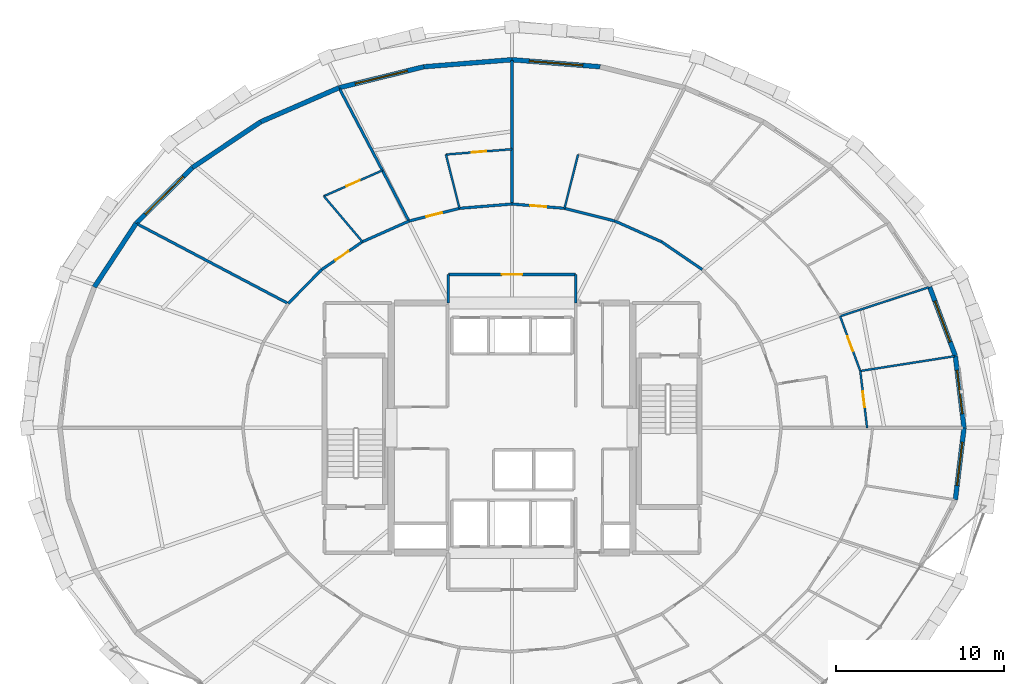
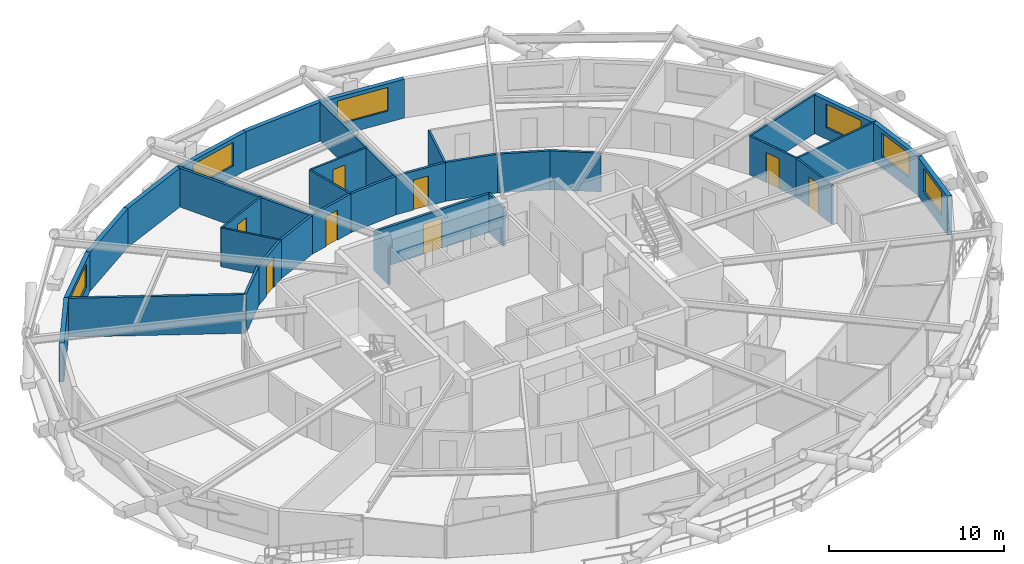
# One storey, part 16 of 19: 34 walls, 8 doors, 6 windows, 14 openings.
"""IFC4 building model written with IfcOpenShell, lengths in metres."""

from ifc_helpers import new_model, si_unit, direction, frame, frame_2d, origin, place, context, subcontext, project, spatial, rectangle, extrude, material, layer, layer_set, type_object, element, fill, save


model = new_model("IFC4")

# Units and contexts
model_context = context("Model", 3, precision=1e-05, world=origin(), true_north=direction((0.0, 1.0)))
body_context = subcontext(model_context, "Body", "Model", "MODEL_VIEW")
ifc_project = project(units=[si_unit("LENGTHUNIT", "METRE"), si_unit("AREAUNIT", "SQUARE_METRE"), si_unit("VOLUMEUNIT", "CUBIC_METRE"), si_unit("PLANEANGLEUNIT", "RADIAN"), si_unit("MASSUNIT", "GRAM", prefix="KILO")], contexts=[model_context])

# Site, building, storey
site_placement = place(None, origin())
site = spatial("IfcSite", under=ifc_project, at=site_placement, CompositionType="ELEMENT")
building_placement = place(site_placement, origin())
building = spatial("IfcBuilding", under=site, at=building_placement, Name="Veldorina Hangang Commons", CompositionType="ELEMENT")
storey_placement = place(building_placement, frame((0.0, 0.0, 70.0)))
storey = spatial("IfcBuildingStorey", under=building, at=storey_placement, Name="L17", CompositionType="ELEMENT", Elevation=70.0)

# Wall, opening, window
ifc_material_1 = material(Name="Stone Roman Travertine", Category="masonry")
ifc_layer_1 = layer(ifc_material_1, 0.280029296875)
ifc_layer_set_1 = layer_set([ifc_layer_1], Name="Stone Roman Travertine")
wall_type_1 = type_object("IfcWallType", Name="EW-TRAV-280", PredefinedType="STANDARD", material=ifc_layer_set_1)
wall_1_placement = place(storey_placement, frame((58.955810546875, 24.0, 0.0), z_axis=(0.0, 0.0, 1.0), x_axis=(-0.120015359714, 0.992772034977, 0.0)))
wall_1 = element("IfcWall", 1, at=wall_1_placement, inside=storey, type_object=wall_type_1, Name="L17 travertine facade wall 00", PredefinedType="STANDARD", context=body_context, shape_type="SweptSolid", body=[
    extrude(rectangle(XDim=4.314697265625, YDim=0.280029296875, at=frame_2d((2.1572265625, 0.0))), origin(), (0.0, 0.0, 1.0), 2.7099609375),
])
opening_1_placement = place(wall_1_placement, frame((0.857421875, 0.0, 0.800048828125)))
opening_1 = element("IfcOpeningElement", 2, at=opening_1_placement, cuts=wall_1, Name="Opening W-02", PredefinedType="OPENING", context=body_context, shape_type="SweptSolid", body=[
    extrude(rectangle(XDim=2.60009765625, YDim=1.64990234375, at=frame_2d((1.300048828125, 0.824951171875))), frame((0.0, 0.14990234375, 0.0), z_axis=(0.0, -1.0, 0.0), x_axis=(1.0, 0.0, 0.0)), (0.0, 0.0, 1.0), 0.300048828125),
])
ifc_material_2 = material(Name="Glass Low-E Triple IGU", Category="glass")
window_type_1 = type_object("IfcWindowType", Name="WIN-TWR-2600", PartitioningType="SINGLE_PANEL", PredefinedType="WINDOW", material=ifc_material_2)
window_1_placement = place(opening_1_placement, origin())
window_1 = element("IfcWindow", 3, at=window_1_placement, inside=storey, type_object=window_type_1, Name="L17 facade window 00", OverallHeight=1.64990234375, OverallWidth=2.60009765625, PartitioningType="SINGLE_PANEL", PredefinedType="WINDOW", context=body_context, shape_type="SweptSolid", body=[
    extrude(rectangle(XDim=2.60009765625, YDim=1.64990234375, at=frame_2d((1.300048828125, 0.824951171875))), frame((0.0, 0.030029296875, 0.0), z_axis=(0.0, -1.0, 0.0), x_axis=(1.0, 0.0, 0.0)), (0.0, 0.0, 1.0), 0.06005859375),
])
fill(opening_1, window_1)

wall_2_placement = place(storey_placement, frame((58.43798828125, 28.283447265625, 0.0), z_axis=(0.0, 0.0, 1.0), x_axis=(-0.349065026796, 0.937098504464, 0.0)))
wall_2 = element("IfcWall", 4, at=wall_2_placement, inside=storey, type_object=wall_type_1, Name="L17 travertine facade wall 01", PredefinedType="STANDARD", context=body_context, shape_type="SweptSolid", body=[
    extrude(rectangle(XDim=4.39501953125, YDim=0.280029296875, at=frame_2d((2.197509765625, 0.0))), origin(), (0.0, 0.0, 1.0), 2.7099609375),
])
opening_2_placement = place(wall_2_placement, frame((0.8974609375, 0.0, 0.800048828125)))
opening_2 = element("IfcOpeningElement", 5, at=opening_2_placement, cuts=wall_2, Name="Opening W-02", PredefinedType="OPENING", context=body_context, shape_type="SweptSolid", body=[
    extrude(rectangle(XDim=2.60009765625, YDim=1.64990234375, at=frame_2d((1.300048828125, 0.824951171875))), frame((0.0, 0.14990234375, 0.0), z_axis=(0.0, -1.0, 0.0), x_axis=(1.0, 0.0, 0.0)), (0.0, 0.0, 1.0), 0.300048828125),
])
window_2_placement = place(opening_2_placement, origin())
window_2 = element("IfcWindow", 6, at=window_2_placement, inside=storey, type_object=window_type_1, Name="L17 facade window 01", OverallHeight=1.64990234375, OverallWidth=2.60009765625, PartitioningType="SINGLE_PANEL", PredefinedType="WINDOW", context=body_context, shape_type="SweptSolid", body=[
    extrude(rectangle(XDim=2.60009765625, YDim=1.64990234375, at=frame_2d((1.300048828125, 0.824951171875))), frame((0.0, 0.030029296875, 0.0), z_axis=(0.0, -1.0, 0.0), x_axis=(1.0, 0.0, 0.0)), (0.0, 0.0, 1.0), 0.06005859375),
])
fill(opening_2, window_2)

wall_3_placement = place(storey_placement, frame((37.2587890625, 45.533935546875, 0.0), z_axis=(0.0, 0.0, 1.0), x_axis=(-0.996797596899, 0.07996593535, 0.0)))
wall_3 = element("IfcWall", 7, at=wall_3_placement, inside=storey, type_object=wall_type_1, Name="L17 travertine facade wall 07", PredefinedType="STANDARD", context=body_context, shape_type="SweptSolid", body=[
    extrude(rectangle(XDim=5.275634765625, YDim=0.280029296875, at=frame_2d((2.6376953125, 0.0))), origin(), (0.0, 0.0, 1.0), 2.7099609375),
])
opening_3_placement = place(wall_3_placement, frame((1.037841796875, 0.0, 0.800048828125)))
opening_3 = element("IfcOpeningElement", 8, at=opening_3_placement, cuts=wall_3, Name="Opening W-01", PredefinedType="OPENING", context=body_context, shape_type="SweptSolid", body=[
    extrude(rectangle(XDim=3.199951171875, YDim=1.64990234375, at=frame_2d((1.60009765625, 0.824951171875))), frame((0.0, 0.14990234375, 0.0), z_axis=(0.0, -1.0, 0.0), x_axis=(1.0, 0.0, 0.0)), (0.0, 0.0, 1.0), 0.300048828125),
])
window_type_2 = type_object("IfcWindowType", Name="WIN-TWR-3200", PartitioningType="SINGLE_PANEL", PredefinedType="WINDOW", material=ifc_material_2)
window_3_placement = place(opening_3_placement, origin())
window_3 = element("IfcWindow", 9, at=window_3_placement, inside=storey, type_object=window_type_2, Name="L17 facade window 07", OverallHeight=1.64990234375, OverallWidth=3.199951171875, PartitioningType="SINGLE_PANEL", PredefinedType="WINDOW", context=body_context, shape_type="SweptSolid", body=[
    extrude(rectangle(XDim=3.199951171875, YDim=1.64990234375, at=frame_2d((1.60009765625, 0.824951171875))), frame((0.0, 0.030029296875, 0.0), z_axis=(0.0, -1.0, 0.0), x_axis=(1.0, 0.0, 0.0)), (0.0, 0.0, 1.0), 0.06005859375),
])
fill(opening_3, window_3)

# Wall
wall_4_placement = place(storey_placement, frame((32.0, 45.955810546875, 0.0), z_axis=(0.0, 0.0, 1.0), x_axis=(-0.996797596899, -0.07996593535, 0.0)))
element("IfcWall", 10, at=wall_4_placement, inside=storey, type_object=wall_type_1, Name="L17 travertine facade wall 08", PredefinedType="STANDARD", context=body_context, shape_type="SweptSolid", body=[
    extrude(rectangle(XDim=5.275634765625, YDim=0.280029296875, at=frame_2d((2.6376953125, 0.0))), origin(), (0.0, 0.0, 1.0), 2.7099609375),
])

# Wall, opening, window
wall_5_placement = place(storey_placement, frame((26.7412109375, 45.533935546875, 0.0), z_axis=(0.0, 0.0, 1.0), x_axis=(-0.970800603404, -0.239887866368, 0.0)))
wall_5 = element("IfcWall", 11, at=wall_5_placement, inside=storey, type_object=wall_type_1, Name="L17 travertine facade wall 09", PredefinedType="STANDARD", context=body_context, shape_type="SweptSolid", body=[
    extrude(rectangle(XDim=5.208740234375, YDim=0.280029296875, at=frame_2d((2.6044921875, 0.0))), origin(), (0.0, 0.0, 1.0), 2.7099609375),
])
opening_4_placement = place(wall_5_placement, frame((1.00439453125, 0.0, 0.800048828125)))
opening_4 = element("IfcOpeningElement", 12, at=opening_4_placement, cuts=wall_5, Name="Opening W-01", PredefinedType="OPENING", context=body_context, shape_type="SweptSolid", body=[
    extrude(rectangle(XDim=3.199951171875, YDim=1.64990234375, at=frame_2d((1.60009765625, 0.824951171875))), frame((0.0, 0.14990234375, 0.0), z_axis=(0.0, -1.0, 0.0), x_axis=(1.0, 0.0, 0.0)), (0.0, 0.0, 1.0), 0.300048828125),
])
window_4_placement = place(opening_4_placement, origin())
window_4 = element("IfcWindow", 13, at=window_4_placement, inside=storey, type_object=window_type_2, Name="L17 facade window 09", OverallHeight=1.64990234375, OverallWidth=3.199951171875, PartitioningType="SINGLE_PANEL", PredefinedType="WINDOW", context=body_context, shape_type="SweptSolid", body=[
    extrude(rectangle(XDim=3.199951171875, YDim=1.64990234375, at=frame_2d((1.60009765625, 0.824951171875))), frame((0.0, 0.030029296875, 0.0), z_axis=(0.0, -1.0, 0.0), x_axis=(1.0, 0.0, 0.0)), (0.0, 0.0, 1.0), 0.06005859375),
])
fill(opening_4, window_4)

# Walls
wall_6_placement = place(storey_placement, frame((21.6845703125, 44.284423828125, 0.0), z_axis=(0.0, 0.0, 1.0), x_axis=(-0.916886688659, -0.399147591951, 0.0)))
element("IfcWall", 14, at=wall_6_placement, inside=storey, type_object=wall_type_1, Name="L17 travertine facade wall 10", PredefinedType="STANDARD", context=body_context, shape_type="SweptSolid", body=[
    extrude(rectangle(XDim=5.082763671875, YDim=0.280029296875, at=frame_2d((2.54150390625, 0.0))), origin(), (0.0, 0.0, 1.0), 2.7099609375),
])
wall_7_placement = place(storey_placement, frame((17.024169921875, 42.255615234375, 0.0), z_axis=(0.0, 0.0, 1.0), x_axis=(-0.831361640375, -0.555731790446, 0.0)))
element("IfcWall", 15, at=wall_7_placement, inside=storey, type_object=wall_type_1, Name="L17 travertine facade wall 11", PredefinedType="STANDARD", context=body_context, shape_type="SweptSolid", body=[
    extrude(rectangle(XDim=4.913330078125, YDim=0.280029296875, at=frame_2d((2.45654296875, 0.0))), origin(), (0.0, 0.0, 1.0), 2.7099609375),
])

# Wall, opening, window
wall_8_placement = place(storey_placement, frame((12.939453125, 39.525146484375, 0.0), z_axis=(0.0, 0.0, 1.0), x_axis=(-0.709763836868, -0.704439703505, 0.0)))
wall_8 = element("IfcWall", 16, at=wall_8_placement, inside=storey, type_object=wall_type_1, Name="L17 travertine facade wall 12", PredefinedType="STANDARD", context=body_context, shape_type="SweptSolid", body=[
    extrude(rectangle(XDim=4.72314453125, YDim=0.280029296875, at=frame_2d((2.361572265625, 0.0))), origin(), (0.0, 0.0, 1.0), 2.7099609375),
])
opening_5_placement = place(wall_8_placement, frame((0.761474609375, 0.0, 0.800048828125)))
opening_5 = element("IfcOpeningElement", 17, at=opening_5_placement, cuts=wall_8, Name="Opening W-01", PredefinedType="OPENING", context=body_context, shape_type="SweptSolid", body=[
    extrude(rectangle(XDim=3.199951171875, YDim=1.64990234375, at=frame_2d((1.60009765625, 0.824951171875))), frame((0.0, 0.14990234375, 0.0), z_axis=(0.0, -1.0, 0.0), x_axis=(1.0, 0.0, 0.0)), (0.0, 0.0, 1.0), 0.300048828125),
])
window_5_placement = place(opening_5_placement, origin())
window_5 = element("IfcWindow", 18, at=window_5_placement, inside=storey, type_object=window_type_2, Name="L17 facade window 12", OverallHeight=1.64990234375, OverallWidth=3.199951171875, PartitioningType="SINGLE_PANEL", PredefinedType="WINDOW", context=body_context, shape_type="SweptSolid", body=[
    extrude(rectangle(XDim=3.199951171875, YDim=1.64990234375, at=frame_2d((1.60009765625, 0.824951171875))), frame((0.0, 0.030029296875, 0.0), z_axis=(0.0, -1.0, 0.0), x_axis=(1.0, 0.0, 0.0)), (0.0, 0.0, 1.0), 0.06005859375),
])
fill(opening_5, window_5)

# Wall
wall_9_placement = place(storey_placement, frame((9.587158203125, 36.197998046875, 0.0), z_axis=(0.0, 0.0, 1.0), x_axis=(-0.548642346735, -0.836057160348, 0.0)))
element("IfcWall", 19, at=wall_9_placement, inside=storey, type_object=wall_type_1, Name="L17 travertine facade wall 13", PredefinedType="STANDARD", context=body_context, shape_type="SweptSolid", body=[
    extrude(rectangle(XDim=4.540283203125, YDim=0.280029296875, at=frame_2d((2.27001953125, 0.0))), origin(), (0.0, 0.0, 1.0), 2.7099609375),
])

# Wall, opening, window
wall_10_placement = place(storey_placement, frame((58.43798828125, 19.716552734375, 0.0), z_axis=(0.0, 0.0, 1.0), x_axis=(0.120015359714, 0.992772034977, 0.0)))
wall_10 = element("IfcWall", 20, at=wall_10_placement, inside=storey, type_object=wall_type_1, Name="L17 travertine facade wall 31", PredefinedType="STANDARD", context=body_context, shape_type="SweptSolid", body=[
    extrude(rectangle(XDim=4.314697265625, YDim=0.280029296875, at=frame_2d((2.1572265625, 0.0))), origin(), (0.0, 0.0, 1.0), 2.7099609375),
])
opening_6_placement = place(wall_10_placement, frame((0.857421875, 0.0, 0.800048828125)))
opening_6 = element("IfcOpeningElement", 21, at=opening_6_placement, cuts=wall_10, Name="Opening W-02", PredefinedType="OPENING", context=body_context, shape_type="SweptSolid", body=[
    extrude(rectangle(XDim=2.60009765625, YDim=1.64990234375, at=frame_2d((1.300048828125, 0.824951171875))), frame((0.0, 0.14990234375, 0.0), z_axis=(0.0, -1.0, 0.0), x_axis=(1.0, 0.0, 0.0)), (0.0, 0.0, 1.0), 0.300048828125),
])
window_6_placement = place(opening_6_placement, origin())
window_6 = element("IfcWindow", 22, at=window_6_placement, inside=storey, type_object=window_type_1, Name="L17 facade window 31", OverallHeight=1.64990234375, OverallWidth=2.60009765625, PartitioningType="SINGLE_PANEL", PredefinedType="WINDOW", context=body_context, shape_type="SweptSolid", body=[
    extrude(rectangle(XDim=2.60009765625, YDim=1.64990234375, at=frame_2d((1.300048828125, 0.824951171875))), frame((0.0, 0.030029296875, 0.0), z_axis=(0.0, -1.0, 0.0), x_axis=(1.0, 0.0, 0.0)), (0.0, 0.0, 1.0), 0.06005859375),
])
fill(opening_6, window_6)

# Walls
ifc_material_3 = material(Name="Gypsum Fire-Rated Twin Stud Wall", Category="gypsum")
ifc_layer_2 = layer(ifc_material_3, 0.159912109375)
ifc_layer_set_2 = layer_set([ifc_layer_2], Name="Gypsum Fire-Rated Twin Stud Wall")
wall_type_2 = type_object("IfcWallType", Name="WL-FIRE-160", PredefinedType="SOLIDWALL", material=ifc_layer_set_2)
for number, where, z_axis, x_axis, name in (
    (23, (28.199951171875, 31.449951171875, 0.0), (0.0, 0.0, 1.0), (0.0, 1.0, 0.0), "L17 North lobby west wall 032"),
    (24, (35.800048828125, 31.449951171875, 0.0), (0.0, 0.0, 1.0), (0.0, 1.0, 0.0), "L17 North lobby east wall 033"),
):
    element("IfcWall", number, at=place(storey_placement, frame(where, z_axis=z_axis, x_axis=x_axis)), inside=storey, type_object=wall_type_2, Name=name, PredefinedType="SOLIDWALL", context=body_context, shape_type="SweptSolid", body=[
        extrude(rectangle(XDim=1.699951171875, YDim=0.159912109375, at=frame_2d((0.85009765625, 0.0))), origin(), (0.0, 0.0, 1.0), 2.7099609375),
    ])

# Wall, opening, door
wall_11_placement = place(storey_placement, frame((28.199951171875, 33.14990234375, 0.0), z_axis=(0.0, 0.0, 1.0), x_axis=(1.0, 0.0, 0.0)))
wall_11 = element("IfcWall", 25, at=wall_11_placement, inside=storey, type_object=wall_type_2, Name="L17 North lobby north wall 034", PredefinedType="SOLIDWALL", context=body_context, shape_type="SweptSolid", body=[
    extrude(rectangle(XDim=7.60009765625, YDim=0.159912109375, at=frame_2d((3.800048828125, 0.0))), origin(), (0.0, 0.0, 1.0), 2.7099609375),
])
opening_7_placement = place(wall_11_placement, frame((3.199951171875, 0.0, 0.0)))
opening_7 = element("IfcOpeningElement", 26, at=opening_7_placement, cuts=wall_11, Name="Opening D-09", PredefinedType="OPENING", context=body_context, shape_type="SweptSolid", body=[
    extrude(rectangle(XDim=1.199951171875, YDim=2.10009765625, at=frame_2d((0.60009765625, 1.050048828125))), frame((0.0, 0.08984375, 0.0), z_axis=(0.0, -1.0, 0.0), x_axis=(1.0, 0.0, 0.0)), (0.0, 0.0, 1.0), 0.179931640625),
])
ifc_material_4 = material(Name="Steel Fire-Rated Corridor Door", Category="steel")
door_type_1 = type_object("IfcDoorType", Name="DR-FIRE-1200", OperationType="SINGLE_SWING_LEFT", PredefinedType="DOOR", material=ifc_material_4)
door_1_placement = place(opening_7_placement, origin())
door_1 = element("IfcDoor", 27, at=door_1_placement, inside=storey, type_object=door_type_1, Name="L17 North lift lobby corridor door 012", OperationType="SINGLE_SWING_RIGHT", OverallHeight=2.10009765625, OverallWidth=1.199951171875, PredefinedType="DOOR", context=body_context, shape_type="SweptSolid", body=[
    extrude(rectangle(XDim=1.199951171875, YDim=2.10009765625, at=frame_2d((0.60009765625, 1.050048828125))), frame((0.0, 0.02490234375, 0.0), z_axis=(0.0, -1.0, 0.0), x_axis=(1.0, 0.0, 0.0)), (0.0, 0.0, 1.0), 0.050048828125),
])
fill(opening_7, door_1)

# Walls
wall_12_placement = place(storey_placement, frame((43.34912109375, 33.43994140625, 0.0), z_axis=(0.0, 0.0, 1.0), x_axis=(-0.825929039072, 0.563774088104, 0.0)))
element("IfcWall", 28, at=wall_12_placement, inside=storey, type_object=wall_type_2, Name="L17 Corridor outer wall 04 049", PredefinedType="SOLIDWALL", context=body_context, shape_type="SweptSolid", body=[
    extrude(rectangle(XDim=2.94482421875, YDim=0.159912109375, at=frame_2d((1.472412109375, 0.0))), origin(), (0.0, 0.0, 1.0), 2.7099609375),
])
wall_13_placement = place(storey_placement, frame((40.9169921875, 35.10009765625, 0.0), z_axis=(0.0, 0.0, 1.0), x_axis=(-0.913768445178, 0.406235434936, 0.0)))
element("IfcWall", 29, at=wall_13_placement, inside=storey, type_object=wall_type_2, Name="L17 Corridor outer wall 05 050", PredefinedType="SOLIDWALL", context=body_context, shape_type="SweptSolid", body=[
    extrude(rectangle(XDim=3.036865234375, YDim=0.159912109375, at=frame_2d((1.5185546875, 0.0))), origin(), (0.0, 0.0, 1.0), 2.7099609375),
])
wall_14_placement = place(storey_placement, frame((38.14208984375, 36.333740234375, 0.0), z_axis=(0.0, 0.0, 1.0), x_axis=(-0.969608333194, 0.244662380029, 0.0)))
element("IfcWall", 30, at=wall_14_placement, inside=storey, type_object=wall_type_2, Name="L17 Corridor outer wall 06 051", PredefinedType="SOLIDWALL", context=body_context, shape_type="SweptSolid", body=[
    extrude(rectangle(XDim=3.10546875, YDim=0.159912109375, at=frame_2d((1.552734375, 0.0))), origin(), (0.0, 0.0, 1.0), 2.7099609375),
])

# Wall, opening, door
wall_15_placement = place(storey_placement, frame((35.131103515625, 37.093505859375, 0.0), z_axis=(0.0, 0.0, 1.0), x_axis=(-0.996658973252, 0.081675522876, 0.0)))
wall_15 = element("IfcWall", 31, at=wall_15_placement, inside=storey, type_object=wall_type_2, Name="L17 Corridor outer wall 07 052", PredefinedType="SOLIDWALL", context=body_context, shape_type="SweptSolid", body=[
    extrude(rectangle(XDim=3.1416015625, YDim=0.159912109375, at=frame_2d((1.57080078125, 0.0))), origin(), (0.0, 0.0, 1.0), 2.7099609375),
])
opening_8_placement = place(wall_15_placement, frame((1.095703125, 0.0, 0.0)))
opening_8 = element("IfcOpeningElement", 32, at=opening_8_placement, cuts=wall_15, Name="Opening D-03", PredefinedType="OPENING", context=body_context, shape_type="SweptSolid", body=[
    extrude(rectangle(XDim=0.949951171875, YDim=2.10009765625, at=frame_2d((0.47509765625, 1.050048828125))), frame((0.0, 0.08984375, 0.0), z_axis=(0.0, -1.0, 0.0), x_axis=(1.0, 0.0, 0.0)), (0.0, 0.0, 1.0), 0.179931640625),
])
ifc_material_5 = material(Name="Timber Fire-Rated Entrance Core", Category="wood")
door_type_2 = type_object("IfcDoorType", Name="DR-UNIT-950", OperationType="SINGLE_SWING_RIGHT", PredefinedType="DOOR", material=ifc_material_5)
door_2_placement = place(opening_8_placement, origin())
door_2 = element("IfcDoor", 33, at=door_2_placement, inside=storey, type_object=door_type_2, Name="L17 Studio 4 entrance door 036", OperationType="SINGLE_SWING_RIGHT", OverallHeight=2.10009765625, OverallWidth=0.949951171875, PredefinedType="DOOR", context=body_context, shape_type="SweptSolid", body=[
    extrude(rectangle(XDim=0.949951171875, YDim=2.10009765625, at=frame_2d((0.47509765625, 1.050048828125))), frame((0.0, 0.02490234375, 0.0), z_axis=(0.0, -1.0, 0.0), x_axis=(1.0, 0.0, 0.0)), (0.0, 0.0, 1.0), 0.050048828125),
])
fill(opening_8, door_2)

# Wall
wall_16_placement = place(storey_placement, frame((32.0, 37.35009765625, 0.0), z_axis=(0.0, 0.0, 1.0), x_axis=(-0.996658973252, -0.081675522876, 0.0)))
element("IfcWall", 34, at=wall_16_placement, inside=storey, type_object=wall_type_2, Name="L17 Corridor outer wall 08 053", PredefinedType="SOLIDWALL", context=body_context, shape_type="SweptSolid", body=[
    extrude(rectangle(XDim=3.1416015625, YDim=0.159912109375, at=frame_2d((1.57080078125, 0.0))), origin(), (0.0, 0.0, 1.0), 2.7099609375),
])

# Wall, opening, door
wall_17_placement = place(storey_placement, frame((28.868896484375, 37.093505859375, 0.0), z_axis=(0.0, 0.0, 1.0), x_axis=(-0.969608333194, -0.244662380029, 0.0)))
wall_17 = element("IfcWall", 35, at=wall_17_placement, inside=storey, type_object=wall_type_2, Name="L17 Corridor outer wall 09 054", PredefinedType="SOLIDWALL", context=body_context, shape_type="SweptSolid", body=[
    extrude(rectangle(XDim=3.10546875, YDim=0.159912109375, at=frame_2d((1.552734375, 0.0))), origin(), (0.0, 0.0, 1.0), 2.7099609375),
])
opening_9_placement = place(wall_17_placement, frame((1.07763671875, 0.0, 0.0)))
opening_9 = element("IfcOpeningElement", 36, at=opening_9_placement, cuts=wall_17, Name="Opening D-03", PredefinedType="OPENING", context=body_context, shape_type="SweptSolid", body=[
    extrude(rectangle(XDim=0.949951171875, YDim=2.10009765625, at=frame_2d((0.47509765625, 1.050048828125))), frame((0.0, 0.08984375, 0.0), z_axis=(0.0, -1.0, 0.0), x_axis=(1.0, 0.0, 0.0)), (0.0, 0.0, 1.0), 0.179931640625),
])
door_3_placement = place(opening_9_placement, origin())
door_3 = element("IfcDoor", 37, at=door_3_placement, inside=storey, type_object=door_type_2, Name="L17 Studio 5 entrance door 038", OperationType="SINGLE_SWING_RIGHT", OverallHeight=2.10009765625, OverallWidth=0.949951171875, PredefinedType="DOOR", context=body_context, shape_type="SweptSolid", body=[
    extrude(rectangle(XDim=0.949951171875, YDim=2.10009765625, at=frame_2d((0.47509765625, 1.050048828125))), frame((0.0, 0.02490234375, 0.0), z_axis=(0.0, -1.0, 0.0), x_axis=(1.0, 0.0, 0.0)), (0.0, 0.0, 1.0), 0.050048828125),
])
fill(opening_9, door_3)

# Wall
wall_18_placement = place(storey_placement, frame((25.85791015625, 36.333740234375, 0.0), z_axis=(0.0, 0.0, 1.0), x_axis=(-0.913768445178, -0.406235434936, 0.0)))
element("IfcWall", 38, at=wall_18_placement, inside=storey, type_object=wall_type_2, Name="L17 Corridor outer wall 10 055", PredefinedType="SOLIDWALL", context=body_context, shape_type="SweptSolid", body=[
    extrude(rectangle(XDim=3.036865234375, YDim=0.159912109375, at=frame_2d((1.5185546875, 0.0))), origin(), (0.0, 0.0, 1.0), 2.7099609375),
])

# Wall, opening, door
wall_19_placement = place(storey_placement, frame((23.0830078125, 35.10009765625, 0.0), z_axis=(0.0, 0.0, 1.0), x_axis=(-0.825929039072, -0.563774088104, 0.0)))
wall_19 = element("IfcWall", 39, at=wall_19_placement, inside=storey, type_object=wall_type_2, Name="L17 Corridor outer wall 11 056", PredefinedType="SOLIDWALL", context=body_context, shape_type="SweptSolid", body=[
    extrude(rectangle(XDim=2.94482421875, YDim=0.159912109375, at=frame_2d((1.472412109375, 0.0))), origin(), (0.0, 0.0, 1.0), 2.7099609375),
])
opening_10_placement = place(wall_19_placement, frame((0.997314453125, 0.0, 0.0)))
opening_10 = element("IfcOpeningElement", 40, at=opening_10_placement, cuts=wall_19, Name="Opening D-03", PredefinedType="OPENING", context=body_context, shape_type="SweptSolid", body=[
    extrude(rectangle(XDim=0.949951171875, YDim=2.10009765625, at=frame_2d((0.47509765625, 1.050048828125))), frame((0.0, 0.08984375, 0.0), z_axis=(0.0, -1.0, 0.0), x_axis=(1.0, 0.0, 0.0)), (0.0, 0.0, 1.0), 0.179931640625),
])
door_4_placement = place(opening_10_placement, origin())
door_4 = element("IfcDoor", 41, at=door_4_placement, inside=storey, type_object=door_type_2, Name="L17 Studio 6 entrance door 040", OperationType="SINGLE_SWING_RIGHT", OverallHeight=2.10009765625, OverallWidth=0.949951171875, PredefinedType="DOOR", context=body_context, shape_type="SweptSolid", body=[
    extrude(rectangle(XDim=0.949951171875, YDim=2.10009765625, at=frame_2d((0.47509765625, 1.050048828125))), frame((0.0, 0.02490234375, 0.0), z_axis=(0.0, -1.0, 0.0), x_axis=(1.0, 0.0, 0.0)), (0.0, 0.0, 1.0), 0.050048828125),
])
fill(opening_10, door_4)

# Walls
wall_20_placement = place(storey_placement, frame((20.65087890625, 33.43994140625, 0.0), z_axis=(0.0, 0.0, 1.0), x_axis=(-0.702366174226, -0.711815816981, 0.0)))
element("IfcWall", 42, at=wall_20_placement, inside=storey, type_object=wall_type_2, Name="L17 Corridor outer wall 12 057", PredefinedType="SOLIDWALL", context=body_context, shape_type="SweptSolid", body=[
    extrude(rectangle(XDim=2.842041015625, YDim=0.159912109375, at=frame_2d((1.4208984375, 0.0))), origin(), (0.0, 0.0, 1.0), 2.7099609375),
])
wall_21_placement = place(storey_placement, frame((32.0, 37.35009765625, 0.0), z_axis=(0.0, 0.0, 1.0), x_axis=(0.0, 1.0, 0.0)))
element("IfcWall", 43, at=wall_21_placement, inside=storey, type_object=wall_type_2, Name="L17 Unit party wall 08 112", PredefinedType="SOLIDWALL", context=body_context, shape_type="SweptSolid", body=[
    extrude(rectangle(XDim=8.5556640625, YDim=0.159912109375, at=frame_2d((4.27783203125, 0.0))), origin(), (0.0, 0.0, 1.0), 2.7099609375),
])
wall_22_placement = place(storey_placement, frame((25.85791015625, 36.333740234375, 0.0), z_axis=(0.0, 0.0, 1.0), x_axis=(-0.464766918633, 0.885433064294, 0.0)))
element("IfcWall", 44, at=wall_22_placement, inside=storey, type_object=wall_type_2, Name="L17 Unit party wall 10 115", PredefinedType="SOLIDWALL", context=body_context, shape_type="SweptSolid", body=[
    extrude(rectangle(XDim=8.929443359375, YDim=0.159912109375, at=frame_2d((4.46484375, 0.0))), origin(), (0.0, 0.0, 1.0), 2.7099609375),
])
wall_23_placement = place(storey_placement, frame((18.65478515625, 31.4169921875, 0.0), z_axis=(0.0, 0.0, 1.0), x_axis=(-0.884569100485, 0.466409162074, 0.0)))
element("IfcWall", 45, at=wall_23_placement, inside=storey, type_object=wall_type_2, Name="L17 Unit party wall 13 118", PredefinedType="SOLIDWALL", context=body_context, shape_type="SweptSolid", body=[
    extrude(rectangle(XDim=10.200927734375, YDim=0.159912109375, at=frame_2d((5.1005859375, 0.0))), origin(), (0.0, 0.0, 1.0), 2.7099609375),
])

# Wall, opening, door
ifc_material_6 = material(Name="Gypsum Acoustic Stud Partition", Category="gypsum")
ifc_layer_3 = layer(ifc_material_6, 0.1201171875)
ifc_layer_set_3 = layer_set([ifc_layer_3], Name="Gypsum Acoustic Stud Partition")
wall_type_3 = type_object("IfcWallType", Name="WL-PART-120", PredefinedType="PARTITIONING", material=ifc_layer_set_3)
wall_24_placement = place(storey_placement, frame((53.17578125, 24.0, 0.0), z_axis=(0.0, 0.0, 1.0), x_axis=(-0.119074803722, 0.992885285982, 0.0)))
wall_24 = element("IfcWall", 46, at=wall_24_placement, inside=storey, type_object=wall_type_3, Name="L17 Cluster 3 bed 1 front wall 098", PredefinedType="PARTITIONING", context=body_context, shape_type="SweptSolid", body=[
    extrude(rectangle(XDim=3.41796875, YDim=0.1201171875, at=frame_2d((1.708984375, 0.0))), origin(), (0.0, 0.0, 1.0), 2.7099609375),
])
opening_11_placement = place(wall_24_placement, frame((1.23388671875, 0.0, 0.0)))
opening_11 = element("IfcOpeningElement", 47, at=opening_11_placement, cuts=wall_24, Name="Opening D-02", PredefinedType="OPENING", context=body_context, shape_type="SweptSolid", body=[
    extrude(rectangle(XDim=0.949951171875, YDim=2.10009765625, at=frame_2d((0.47509765625, 1.050048828125))), frame((0.0, 0.070068359375, 0.0), z_axis=(0.0, -1.0, 0.0), x_axis=(1.0, 0.0, 0.0)), (0.0, 0.0, 1.0), 0.14013671875),
])
ifc_material_7 = material(Name="Timber Solid Core Acoustic", Category="wood")
door_type_3 = type_object("IfcDoorType", Name="DR-INT-950", OperationType="SINGLE_SWING_LEFT", PredefinedType="DOOR", material=ifc_material_7)
door_5_placement = place(opening_11_placement, origin())
door_5 = element("IfcDoor", 48, at=door_5_placement, inside=storey, type_object=door_type_3, Name="L17 Cluster 3 bed 1 door 029", OperationType="SINGLE_SWING_LEFT", OverallHeight=2.10009765625, OverallWidth=0.949951171875, PredefinedType="DOOR", context=body_context, shape_type="SweptSolid", body=[
    extrude(rectangle(XDim=0.949951171875, YDim=2.10009765625, at=frame_2d((0.47509765625, 1.050048828125))), frame((0.0, 0.02490234375, 0.0), z_axis=(0.0, -1.0, 0.0), x_axis=(1.0, 0.0, 0.0)), (0.0, 0.0, 1.0), 0.050048828125),
])
fill(opening_11, door_5)

wall_25_placement = place(storey_placement, frame((52.768798828125, 27.3935546875, 0.0), z_axis=(0.0, 0.0, 1.0), x_axis=(-0.34642729384, 0.938076825256, 0.0)))
wall_25 = element("IfcWall", 49, at=wall_25_placement, inside=storey, type_object=wall_type_3, Name="L17 Cluster 3 bed 2 front wall 099", PredefinedType="PARTITIONING", context=body_context, shape_type="SweptSolid", body=[
    extrude(rectangle(XDim=3.478515625, YDim=0.1201171875, at=frame_2d((1.7392578125, 0.0))), origin(), (0.0, 0.0, 1.0), 2.7099609375),
])
opening_12_placement = place(wall_25_placement, frame((1.264404296875, 0.0, 0.0)))
opening_12 = element("IfcOpeningElement", 50, at=opening_12_placement, cuts=wall_25, Name="Opening D-02", PredefinedType="OPENING", context=body_context, shape_type="SweptSolid", body=[
    extrude(rectangle(XDim=0.949951171875, YDim=2.10009765625, at=frame_2d((0.47509765625, 1.050048828125))), frame((0.0, 0.070068359375, 0.0), z_axis=(0.0, -1.0, 0.0), x_axis=(1.0, 0.0, 0.0)), (0.0, 0.0, 1.0), 0.14013671875),
])
door_6_placement = place(opening_12_placement, origin())
door_6 = element("IfcDoor", 51, at=door_6_placement, inside=storey, type_object=door_type_3, Name="L17 Cluster 3 bed 2 door 030", OperationType="SINGLE_SWING_RIGHT", OverallHeight=2.10009765625, OverallWidth=0.949951171875, PredefinedType="DOOR", context=body_context, shape_type="SweptSolid", body=[
    extrude(rectangle(XDim=0.949951171875, YDim=2.10009765625, at=frame_2d((0.47509765625, 1.050048828125))), frame((0.0, 0.02490234375, 0.0), z_axis=(0.0, -1.0, 0.0), x_axis=(1.0, 0.0, 0.0)), (0.0, 0.0, 1.0), 0.050048828125),
])
fill(opening_12, door_6)

# Walls
wall_26_placement = place(storey_placement, frame((52.768798828125, 27.3935546875, 0.0), z_axis=(0.0, 0.0, 1.0), x_axis=(0.987904189971, 0.155065506924, 0.0)))
element("IfcWall", 52, at=wall_26_placement, inside=storey, type_object=wall_type_3, Name="L17 Cluster 3 bed divider 1 100", PredefinedType="PARTITIONING", context=body_context, shape_type="SweptSolid", body=[
    extrude(rectangle(XDim=5.6884765625, YDim=0.1201171875, at=frame_2d((2.84423828125, 0.0))), origin(), (0.0, 0.0, 1.0), 2.7099609375),
])
wall_27_placement = place(storey_placement, frame((51.563720703125, 30.65673828125, 0.0), z_axis=(0.0, 0.0, 1.0), x_axis=(0.950513005148, 0.310684771183, 0.0)))
element("IfcWall", 53, at=wall_27_placement, inside=storey, type_object=wall_type_3, Name="L17 Cluster 3 bed divider 2 102", PredefinedType="PARTITIONING", context=body_context, shape_type="SweptSolid", body=[
    extrude(rectangle(XDim=5.568359375, YDim=0.1201171875, at=frame_2d((2.7841796875, 0.0))), origin(), (0.0, 0.0, 1.0), 2.7099609375),
])
wall_28_placement = place(storey_placement, frame((35.131103515625, 37.093505859375, 0.0), z_axis=(0.0, 0.0, 1.0), x_axis=(0.244462922871, 0.969658640626, 0.0)))
element("IfcWall", 54, at=wall_28_placement, inside=storey, type_object=wall_type_3, Name="L17 Studio 4 bath side wall 111", PredefinedType="PARTITIONING", context=body_context, shape_type="SweptSolid", body=[
    extrude(rectangle(XDim=3.3076171875, YDim=0.1201171875, at=frame_2d((1.65380859375, 0.0))), origin(), (0.0, 0.0, 1.0), 2.7099609375),
])

# Wall, opening, door
wall_29_placement = place(storey_placement, frame((32.0, 40.6201171875, 0.0), z_axis=(0.0, 0.0, 1.0), x_axis=(-0.996731064863, -0.080790991686, 0.0)))
wall_29 = element("IfcWall", 55, at=wall_29_placement, inside=storey, type_object=wall_type_3, Name="L17 Studio 5 bath front wall 113", PredefinedType="PARTITIONING", context=body_context, shape_type="SweptSolid", body=[
    extrude(rectangle(XDim=3.95263671875, YDim=0.1201171875, at=frame_2d((1.976318359375, 0.0))), origin(), (0.0, 0.0, 1.0), 2.7099609375),
])
opening_13_placement = place(wall_29_placement, frame((1.54638671875, 0.0, 0.0)))
opening_13 = element("IfcOpeningElement", 56, at=opening_13_placement, cuts=wall_29, Name="Opening D-01", PredefinedType="OPENING", context=body_context, shape_type="SweptSolid", body=[
    extrude(rectangle(XDim=0.860107421875, YDim=2.10009765625, at=frame_2d((0.43017578125, 1.050048828125))), frame((0.0, 0.070068359375, 0.0), z_axis=(0.0, -1.0, 0.0), x_axis=(1.0, 0.0, 0.0)), (0.0, 0.0, 1.0), 0.14013671875),
])
ifc_material_8 = material(Name="Timber Moisture-Resistant Core", Category="wood")
door_type_4 = type_object("IfcDoorType", Name="DR-WET-860", OperationType="SINGLE_SWING_LEFT", PredefinedType="DOOR", material=ifc_material_8)
door_7_placement = place(opening_13_placement, origin())
door_7 = element("IfcDoor", 57, at=door_7_placement, inside=storey, type_object=door_type_4, Name="L17 Studio 5 bathroom door 037", OperationType="SINGLE_SWING_LEFT", OverallHeight=2.10009765625, OverallWidth=0.860107421875, PredefinedType="DOOR", context=body_context, shape_type="SweptSolid", body=[
    extrude(rectangle(XDim=0.860107421875, YDim=2.10009765625, at=frame_2d((0.43017578125, 1.050048828125))), frame((0.0, 0.02490234375, 0.0), z_axis=(0.0, -1.0, 0.0), x_axis=(1.0, 0.0, 0.0)), (0.0, 0.0, 1.0), 0.050048828125),
])
fill(opening_13, door_7)

# Wall
wall_30_placement = place(storey_placement, frame((28.868896484375, 37.093505859375, 0.0), z_axis=(0.0, 0.0, 1.0), x_axis=(-0.244462922871, 0.969658640626, 0.0)))
element("IfcWall", 58, at=wall_30_placement, inside=storey, type_object=wall_type_3, Name="L17 Studio 5 bath side wall 114", PredefinedType="PARTITIONING", context=body_context, shape_type="SweptSolid", body=[
    extrude(rectangle(XDim=3.3076171875, YDim=0.1201171875, at=frame_2d((1.65380859375, 0.0))), origin(), (0.0, 0.0, 1.0), 2.7099609375),
])

# Wall, opening, door
wall_31_placement = place(storey_placement, frame((24.27197265625, 39.35498046875, 0.0), z_axis=(0.0, 0.0, 1.0), x_axis=(-0.915338626919, -0.40268498615, 0.0)))
wall_31 = element("IfcWall", 59, at=wall_31_placement, inside=storey, type_object=wall_type_3, Name="L17 Studio 6 bath front wall 116", PredefinedType="PARTITIONING", context=body_context, shape_type="SweptSolid", body=[
    extrude(rectangle(XDim=3.814208984375, YDim=0.1201171875, at=frame_2d((1.9072265625, 0.0))), origin(), (0.0, 0.0, 1.0), 2.7099609375),
])
opening_14_placement = place(wall_31_placement, frame((1.47705078125, 0.0, 0.0)))
opening_14 = element("IfcOpeningElement", 60, at=opening_14_placement, cuts=wall_31, Name="Opening D-01", PredefinedType="OPENING", context=body_context, shape_type="SweptSolid", body=[
    extrude(rectangle(XDim=0.860107421875, YDim=2.10009765625, at=frame_2d((0.43017578125, 1.050048828125))), frame((0.0, 0.070068359375, 0.0), z_axis=(0.0, -1.0, 0.0), x_axis=(1.0, 0.0, 0.0)), (0.0, 0.0, 1.0), 0.14013671875),
])
door_8_placement = place(opening_14_placement, origin())
door_8 = element("IfcDoor", 61, at=door_8_placement, inside=storey, type_object=door_type_4, Name="L17 Studio 6 bathroom door 039", OperationType="SINGLE_SWING_LEFT", OverallHeight=2.10009765625, OverallWidth=0.860107421875, PredefinedType="DOOR", context=body_context, shape_type="SweptSolid", body=[
    extrude(rectangle(XDim=0.860107421875, YDim=2.10009765625, at=frame_2d((0.43017578125, 1.050048828125))), frame((0.0, 0.02490234375, 0.0), z_axis=(0.0, -1.0, 0.0), x_axis=(1.0, 0.0, 0.0)), (0.0, 0.0, 1.0), 0.050048828125),
])
fill(opening_14, door_8)

# Wall
wall_32_placement = place(storey_placement, frame((23.0830078125, 35.10009765625, 0.0), z_axis=(0.0, 0.0, 1.0), x_axis=(-0.64619716823, 0.763170505045, 0.0)))
element("IfcWall", 62, at=wall_32_placement, inside=storey, type_object=wall_type_3, Name="L17 Studio 6 bath side wall 117", PredefinedType="PARTITIONING", context=body_context, shape_type="SweptSolid", body=[
    extrude(rectangle(XDim=3.562744140625, YDim=0.1201171875, at=frame_2d((1.78125, 0.0))), origin(), (0.0, 0.0, 1.0), 2.7099609375),
])

save(model, "model.ifc")
